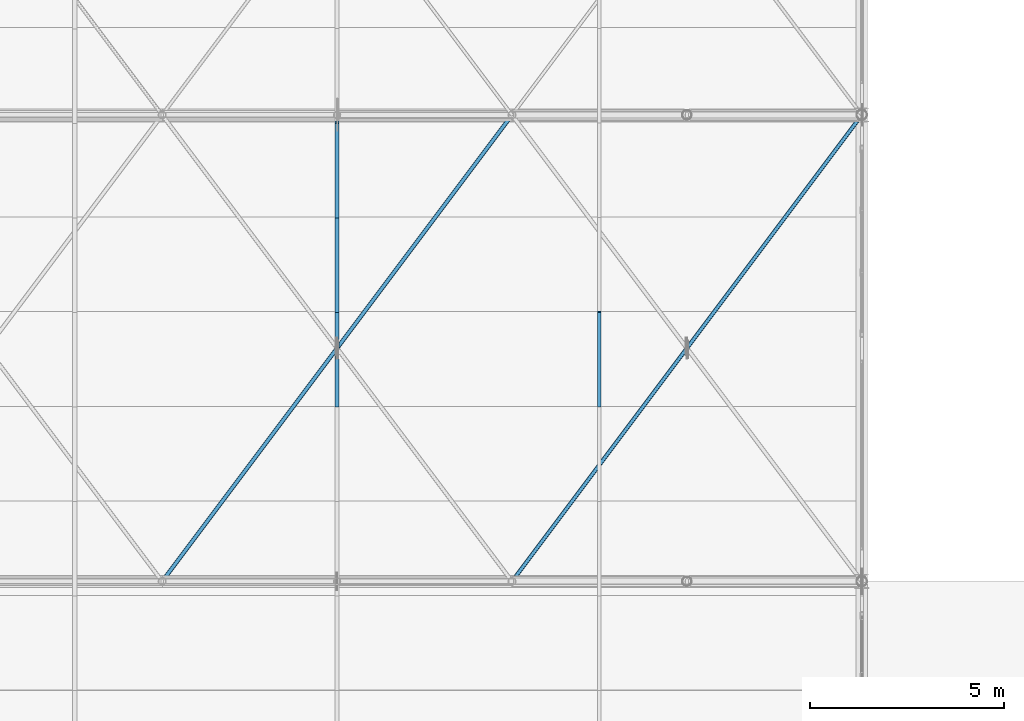
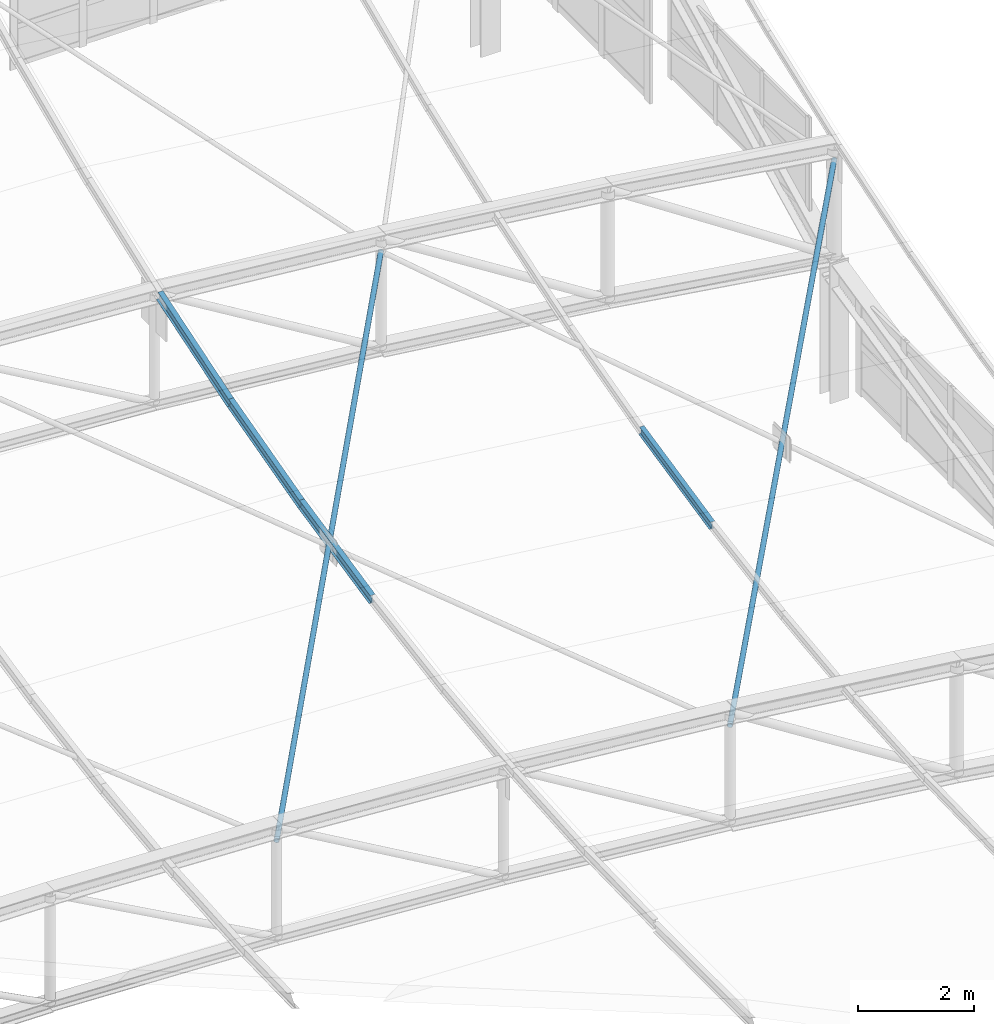
# One storey, part 127 of 262: 6 members.
"""IFC4 building model written with IfcOpenShell, lengths in metres."""

from ifc_helpers import new_model, si_unit, derived_unit, direction, frame, origin, origin_2d, place, context, subcontext, project, spatial, hollow_circle, i_section, extrude, material, material_profile, profile_set, type_object, element, save


model = new_model("IFC4")

# Units and contexts
model_context = context("Model", 3, precision=1e-05, world=origin(), true_north=direction((0.0, 1.0)))
body_context = subcontext(model_context, "Body", "Model", "MODEL_VIEW")
ifc_project = project(units=[si_unit("LENGTHUNIT", "METRE"), si_unit("AREAUNIT", "SQUARE_METRE"), si_unit("VOLUMEUNIT", "CUBIC_METRE"), si_unit("PLANEANGLEUNIT", "RADIAN"), si_unit("MASSUNIT", "GRAM", prefix="KILO"), derived_unit("THERMALTRANSMITTANCEUNIT", [(si_unit("POWERUNIT", "WATT"), 1), (si_unit("LENGTHUNIT", "METRE"), -2), (si_unit("THERMODYNAMICTEMPERATUREUNIT", "KELVIN"), -1)])], contexts=[model_context])

# Site, building, storey
site_placement = place(None, origin())
site = spatial("IfcSite", under=ifc_project, at=site_placement, CompositionType="ELEMENT")
building_placement = place(site_placement, origin())
building = spatial("IfcBuilding", under=site, at=building_placement, Name="Almenara Railside Exhibition Hall", CompositionType="ELEMENT")
storey_placement = place(building_placement, frame((0.0, 0.0, 21.699951171875)))
storey = spatial("IfcBuildingStorey", under=building, at=storey_placement, Name="RF", CompositionType="ELEMENT", Elevation=21.699951171875)

# Members
ifc_material = material(Name="Structural steel S355JR", Category="steel")
ifc_material_profile_1 = material_profile(ifc_material, i_section(OverallWidth=0.091064453125, OverallDepth=0.179931640625, WebThickness=0.00537109375, FlangeThickness=0.008056640625, FilletRadius=0.009033203125, at=origin_2d()), Name="IPE 180")
ifc_profile_set_1 = profile_set([ifc_material_profile_1], Name="Structural steel S355JR")
member_type_1 = type_object("IfcMemberType", Name="Plenary Roof Purlin IPE 180 S355JR", PredefinedType="PURLIN", material=ifc_profile_set_1)
member_1_placement = place(storey_placement, frame((59.25, 112.50634765625, 1.78662109375), z_axis=(0.0, 0.977496103583, 0.210953472309), x_axis=(-1.0, 0.0, 0.0)))
element("IfcMember", 1, at=member_1_placement, inside=storey, type_object=member_type_1, Name="MEM-PR-V1-PR-IPE180-07-20", PredefinedType="PURLIN", context=body_context, shape_type="SweptSolid", body=[
    extrude(i_section(OverallWidth=0.091064453125, OverallDepth=0.179931640625, WebThickness=0.00537109375, FlangeThickness=0.008056640625, FilletRadius=0.009033203125, at=origin_2d()), origin(), (0.0, 0.0, 1.0), 2.492919921875),
])
ifc_material_profile_2 = material_profile(ifc_material, hollow_circle(Radius=0.05078125, WallThickness=0.00390625, at=origin_2d()), Name="CHS 101.6x4")
ifc_profile_set_2 = profile_set([ifc_material_profile_2], Name="Structural steel S355JR")
member_type_2 = type_object("IfcMemberType", Name="Scroll Wind Plan Brace CHS 101.6x4 S355JR", PredefinedType="BRACE", material=ifc_profile_set_2)
member_2_placement = place(storey_placement, frame((48.0, 108.0, 1.84033203125), z_axis=(0.59502822387, 0.793370965159, 0.128467600743), x_axis=(-0.8, 0.6, 0.0)))
element("IfcMember", 2, at=member_2_placement, inside=storey, type_object=member_type_2, Name="MEM-WB-V1-WB-CHS102-05-08-C", PredefinedType="BRACE", context=body_context, shape_type="SweptSolid", body=[
    extrude(hollow_circle(Radius=0.05078125, WallThickness=0.00390625, at=origin_2d()), origin(), (0.0, 0.0, 1.0), 15.125244140625),
])
member_3_placement = place(storey_placement, frame((57.0, 108.0, 1.10693359375), z_axis=(0.597199566893, 0.796266089191, 0.096503847113), x_axis=(-0.8, 0.6, 0.0)))
element("IfcMember", 3, at=member_3_placement, inside=storey, type_object=member_type_2, Name="MEM-WB-V1-WB-CHS102-05-10-C", PredefinedType="BRACE", context=body_context, shape_type="SweptSolid", body=[
    extrude(hollow_circle(Radius=0.05078125, WallThickness=0.00390625, at=origin_2d()), origin(), (0.0, 0.0, 1.0), 15.0703125),
])
ifc_material_profile_3 = material_profile(ifc_material, i_section(OverallWidth=0.10009765625, OverallDepth=0.199951171875, WebThickness=0.005615234375, FlangeThickness=0.008544921875, FilletRadius=0.011962890625, at=origin_2d()), Name="IPE 200")
ifc_profile_set_3 = profile_set([ifc_material_profile_3], Name="Structural steel S355JR")
member_type_3 = type_object("IfcMemberType", Name="Standard Hall Roof Purlin IPE 200 S355JR", PredefinedType="PURLIN", material=ifc_profile_set_3)
member_4_placement = place(storey_placement, frame((52.5, 112.50634765625, 2.603271484375), z_axis=(0.0, 0.977496103583, 0.210953472309), x_axis=(-1.0, 0.0, 0.0)))
element("IfcMember", 4, at=member_4_placement, inside=storey, type_object=member_type_3, Name="MEM-PR-V1-PR-IPE200-06-20", PredefinedType="PURLIN", context=body_context, shape_type="SweptSolid", body=[
    extrude(i_section(OverallWidth=0.10009765625, OverallDepth=0.199951171875, WebThickness=0.005615234375, FlangeThickness=0.008544921875, FilletRadius=0.011962890625, at=origin_2d()), origin(), (0.0, 0.0, 1.0), 2.492919921875),
])
member_5_placement = place(storey_placement, frame((52.5, 114.943115234375, 3.125732421875), z_axis=(0.0, 0.966201190487, 0.257789176462), x_axis=(-1.0, 0.0, 0.0)))
element("IfcMember", 5, at=member_5_placement, inside=storey, type_object=member_type_3, Name="MEM-PR-V1-PR-IPE200-06-21", PredefinedType="PURLIN", context=body_context, shape_type="SweptSolid", body=[
    extrude(i_section(OverallWidth=0.10009765625, OverallDepth=0.199951171875, WebThickness=0.005615234375, FlangeThickness=0.008544921875, FilletRadius=0.011962890625, at=origin_2d()), origin(), (0.0, 0.0, 1.0), 2.52197265625),
])
member_6_placement = place(storey_placement, frame((52.5, 117.3798828125, 3.771484375), z_axis=(0.0, 0.952468462339, 0.304637207594), x_axis=(-1.0, 0.0, 0.0)))
element("IfcMember", 6, at=member_6_placement, inside=storey, type_object=member_type_3, Name="MEM-PR-V1-PR-IPE200-06-22", PredefinedType="PURLIN", context=body_context, shape_type="SweptSolid", body=[
    extrude(i_section(OverallWidth=0.10009765625, OverallDepth=0.199951171875, WebThickness=0.005615234375, FlangeThickness=0.008544921875, FilletRadius=0.011962890625, at=origin_2d()), origin(), (0.0, 0.0, 1.0), 2.55810546875),
])

save(model, "model.ifc")
